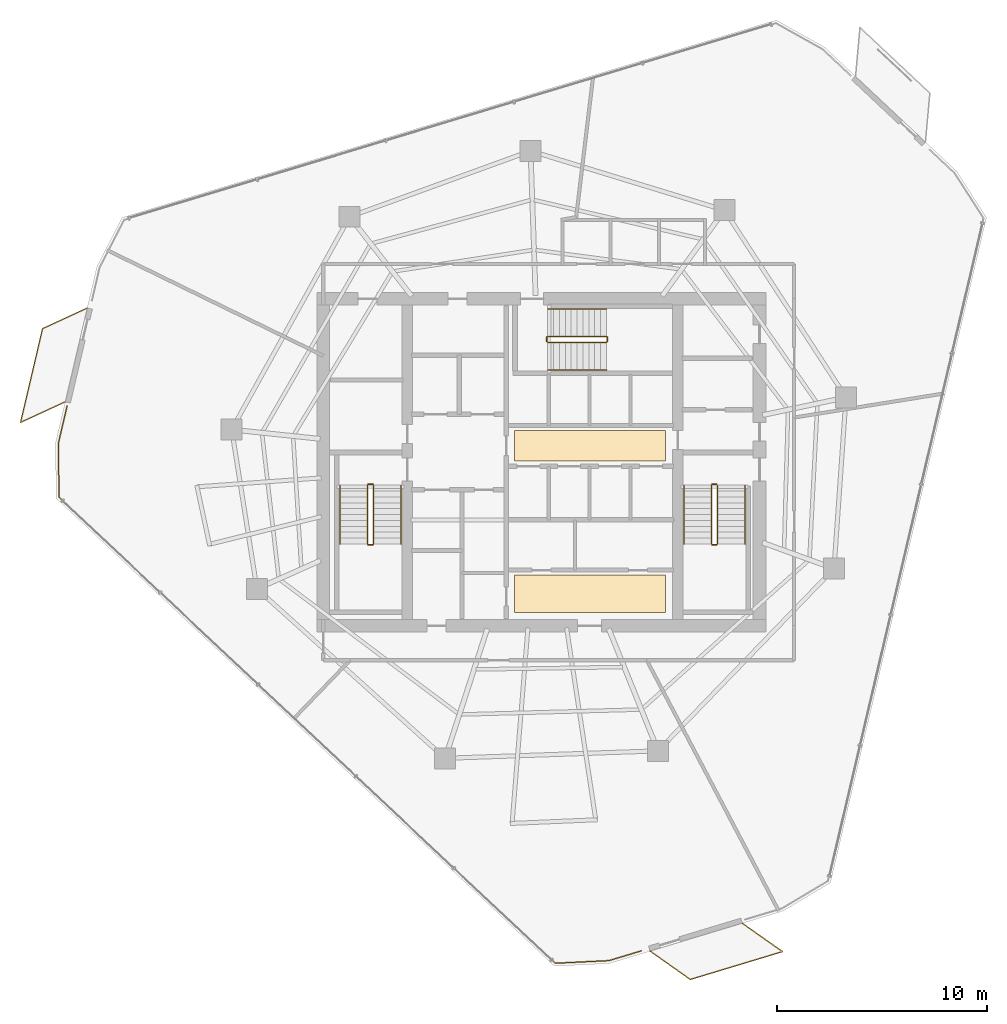
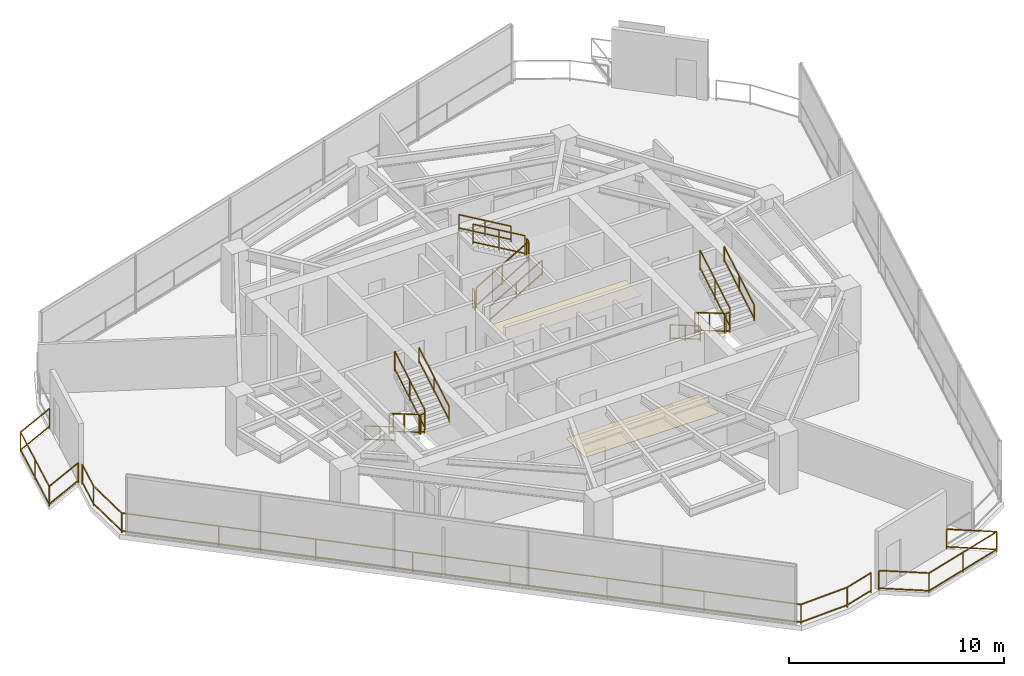
# One storey, part 18 of 19: 21 railings, 2 coverings.
"""IFC4 building model written with IfcOpenShell, lengths in metres."""

from ifc_helpers import new_model, si_unit, direction, frame, origin, origin_2d, place, context, subcontext, project, spatial, rectangle, extrude, material, layer, layer_set, type_object, element, save


model = new_model("IFC4")

# Units and contexts
model_context = context("Model", 3, precision=1e-05, world=origin(), true_north=direction((0.0, 1.0)))
body_context = subcontext(model_context, "Body", "Model", "MODEL_VIEW")
ifc_project = project(units=[si_unit("LENGTHUNIT", "METRE"), si_unit("AREAUNIT", "SQUARE_METRE"), si_unit("VOLUMEUNIT", "CUBIC_METRE"), si_unit("PLANEANGLEUNIT", "RADIAN"), si_unit("MASSUNIT", "GRAM", prefix="KILO")], contexts=[model_context])

# Site, building, storey
site_placement = place(None, origin())
site = spatial("IfcSite", under=ifc_project, at=site_placement, CompositionType="ELEMENT")
building_placement = place(site_placement, origin())
building = spatial("IfcBuilding", under=site, at=building_placement, Name="Qarnah Convention Tower", CompositionType="ELEMENT")
storey_placement = place(building_placement, frame((0.0, 0.0, 129.300048828125)))
storey = spatial("IfcBuildingStorey", under=building, at=storey_placement, Name="L34", CompositionType="ELEMENT", Elevation=129.300048828125)

# Coverings
ifc_material_1 = material(Name="Mineral fibre acoustic ceiling")
ifc_layer_1 = layer(ifc_material_1, 0.02001953125)
ifc_layer_set_1 = layer_set([ifc_layer_1], Name="Mineral fibre acoustic ceiling")
covering_type_1 = type_object("IfcCoveringType", Name="COV-CEIL-20", PredefinedType="CEILING", material=ifc_layer_set_1)
covering_1_placement = place(storey_placement, frame((39.52001953125, 27.179931640625, 2.2900390625), z_axis=(0.0, 0.0, 1.0), x_axis=(1.0, 0.0, 0.0)))
element("IfcCovering", 1, at=covering_1_placement, inside=storey, type_object=covering_type_1, Name="L34 lift lobby acoustic ceiling", PredefinedType="CEILING", context=body_context, shape_type="SweptSolid", body=[
    extrude(rectangle(XDim=7.199951171875, YDim=1.449951171875, at=origin_2d()), origin(), (0.0, 0.0, 1.0), 0.02001953125),
])
ifc_material_2 = material(Name="Porcelain stone floor tile", Category="masonry")
ifc_layer_2 = layer(ifc_material_2, 0.02001953125)
ifc_layer_set_2 = layer_set([ifc_layer_2], Name="Porcelain stone floor tile")
covering_type_2 = type_object("IfcCoveringType", Name="COV-FLOOR-20", PredefinedType="FLOORING", material=ifc_layer_set_2)
covering_2_placement = place(storey_placement, frame((39.52001953125, 20.1201171875, 0.0), z_axis=(0.0, 0.0, 1.0), x_axis=(1.0, 0.0, 0.0)))
element("IfcCovering", 2, at=covering_2_placement, inside=storey, type_object=covering_type_2, Name="L34 lift lobby porcelain stone flooring", PredefinedType="FLOORING", context=body_context, shape_type="SweptSolid", body=[
    extrude(rectangle(XDim=7.199951171875, YDim=1.800048828125, at=origin_2d()), origin(), (0.0, 0.0, 1.0), 0.02001953125),
])

# Railings
ifc_material_3 = material(Name="Black anodised aluminium", Category="aluminium")
railing_type_1 = type_object("IfcRailingType", Name="RL-EXT-GUARD-1150", PredefinedType="GUARDRAIL", material=ifc_material_3)
railing_1_placement = place(storey_placement, frame((41.97509765625, 3.097900390625, 0.0)))
element("IfcRailing", 3, at=railing_1_placement, inside=storey, type_object=railing_type_1, Name="L34 slab-edge perimeter safety guard 03", PredefinedType="GUARDRAIL", context=body_context, shape_type="SweptSolid", body=[
    extrude(rectangle(XDim=0.048095703125, YDim=0.048095703125, at=origin_2d()), frame((0.0, 0.0, 1.1259765625), z_axis=(-0.957395814984, -0.288778900634, 0.0), x_axis=(0.288778900634, -0.957395814984, 0.0)), (0.0, 0.0, 1.0), 1.62744140625),
    extrude(rectangle(XDim=0.048095703125, YDim=0.048095703125, at=origin_2d()), frame((0.0, 0.0, 0.1201171875), z_axis=(-0.957395814984, -0.288778900634, 0.0), x_axis=(0.288778900634, -0.957395814984, 0.0)), (0.0, 0.0, 1.0), 1.62744140625),
    extrude(rectangle(XDim=0.048095703125, YDim=0.048095703125, at=origin_2d()), frame((-1.55810546875, -0.469970703125, 1.1259765625), z_axis=(-0.998816438804, -0.048638683945, 0.0), x_axis=(0.048638683945, -0.998816438804, 0.0)), (0.0, 0.0, 1.0), 2.5498046875),
    extrude(rectangle(XDim=0.048095703125, YDim=0.048095703125, at=origin_2d()), frame((-1.55810546875, -0.469970703125, 0.1201171875), z_axis=(-0.998816438804, -0.048638683945, 0.0), x_axis=(0.048638683945, -0.998816438804, 0.0)), (0.0, 0.0, 1.0), 2.5498046875),
    extrude(rectangle(XDim=0.048095703125, YDim=0.048095703125, at=origin_2d()), frame((-4.10498046875, -0.593994140625, 1.1259765625), z_axis=(-0.728992787083, 0.684521377593, 0.0), x_axis=(-0.684521377593, -0.728992787083, 0.0)), (0.0, 0.0, 1.0), 32.472412109375),
    extrude(rectangle(XDim=0.048095703125, YDim=0.048095703125, at=origin_2d()), frame((-4.10498046875, -0.593994140625, 0.1201171875), z_axis=(-0.728992787083, 0.684521377593, 0.0), x_axis=(-0.684521377593, -0.728992787083, 0.0)), (0.0, 0.0, 1.0), 32.472412109375),
    extrude(rectangle(XDim=0.048095703125, YDim=0.048095703125, at=origin_2d()), frame((-27.777099609375, 21.634033203125, 1.1259765625), z_axis=(-0.014061558052, 0.999901131405, 0.0), x_axis=(-0.999901131405, -0.014061558052, 0.0)), (0.0, 0.0, 1.0), 2.55224609375),
    extrude(rectangle(XDim=0.048095703125, YDim=0.048095703125, at=origin_2d()), frame((-27.777099609375, 21.634033203125, 0.1201171875), z_axis=(-0.014061558052, 0.999901131405, 0.0), x_axis=(-0.999901131405, -0.014061558052, 0.0)), (0.0, 0.0, 1.0), 2.55224609375),
    extrude(rectangle(XDim=0.048095703125, YDim=0.048095703125, at=origin_2d()), frame((-27.81298828125, 24.18603515625, 1.1259765625), z_axis=(0.228624424526, 0.973514700716, 0.0), x_axis=(-0.973514700716, 0.228624424526, 0.0)), (0.0, 0.0, 1.0), 1.836669921875),
    extrude(rectangle(XDim=0.048095703125, YDim=0.048095703125, at=origin_2d()), frame((-27.81298828125, 24.18603515625, 0.1201171875), z_axis=(0.228624424526, 0.973514700716, 0.0), x_axis=(-0.973514700716, 0.228624424526, 0.0)), (0.0, 0.0, 1.0), 1.836669921875),
    extrude(rectangle(XDim=0.0419921875, YDim=0.0419921875, at=origin_2d()), origin(), (0.0, 0.0, 1.0), 1.101806640625),
    extrude(rectangle(XDim=0.0419921875, YDim=0.0419921875, at=origin_2d()), frame((-1.55810546875, -0.469970703125, 0.0)), (0.0, 0.0, 1.0), 1.101806640625),
    extrude(rectangle(XDim=0.0419921875, YDim=0.0419921875, at=origin_2d()), frame((-4.10498046875, -0.593994140625, 0.0)), (0.0, 0.0, 1.0), 1.101806640625),
    extrude(rectangle(XDim=0.0419921875, YDim=0.0419921875, at=origin_2d()), frame((-7.48681640625, 2.58154296875, 0.0)), (0.0, 0.0, 1.0), 1.101806640625),
    extrude(rectangle(XDim=0.0419921875, YDim=0.0419921875, at=origin_2d()), frame((-10.868408203125, 5.7568359375, 0.0)), (0.0, 0.0, 1.0), 1.101806640625),
    extrude(rectangle(XDim=0.0419921875, YDim=0.0419921875, at=origin_2d()), frame((-14.250244140625, 8.932373046875, 0.0)), (0.0, 0.0, 1.0), 1.101806640625),
    extrude(rectangle(XDim=0.0419921875, YDim=0.0419921875, at=origin_2d()), frame((-17.6318359375, 12.107666015625, 0.0)), (0.0, 0.0, 1.0), 1.101806640625),
    extrude(rectangle(XDim=0.0419921875, YDim=0.0419921875, at=origin_2d()), frame((-21.013671875, 15.283203125, 0.0)), (0.0, 0.0, 1.0), 1.101806640625),
    extrude(rectangle(XDim=0.0419921875, YDim=0.0419921875, at=origin_2d()), frame((-24.395263671875, 18.45849609375, 0.0)), (0.0, 0.0, 1.0), 1.101806640625),
    extrude(rectangle(XDim=0.0419921875, YDim=0.0419921875, at=origin_2d()), frame((-27.777099609375, 21.634033203125, 0.0)), (0.0, 0.0, 1.0), 1.101806640625),
    extrude(rectangle(XDim=0.0419921875, YDim=0.0419921875, at=origin_2d()), frame((-27.81298828125, 24.18603515625, 0.0)), (0.0, 0.0, 1.0), 1.101806640625),
    extrude(rectangle(XDim=0.0419921875, YDim=0.0419921875, at=origin_2d()), frame((-27.39306640625, 25.97412109375, 0.0)), (0.0, 0.0, 1.0), 1.101806640625),
])
railing_2_placement = place(storey_placement, frame((14.489990234375, 29.27197265625, 0.0)))
element("IfcRailing", 4, at=railing_2_placement, inside=storey, type_object=railing_type_1, Name="L34 balcony safety guard BAL-L34-C2", PredefinedType="GUARDRAIL", context=body_context, shape_type="SweptSolid", body=[
    extrude(rectangle(XDim=0.048095703125, YDim=0.048095703125, at=origin_2d()), frame((0.0, 0.0, 1.1259765625), z_axis=(-0.907910670849, -0.419163707587, 0.0), x_axis=(0.419163707587, -0.907910670849, 0.0)), (0.0, 0.0, 1.0), 2.34716796875),
    extrude(rectangle(XDim=0.048095703125, YDim=0.048095703125, at=origin_2d()), frame((0.0, 0.0, 0.1201171875), z_axis=(-0.907910670849, -0.419163707587, 0.0), x_axis=(0.419163707587, -0.907910670849, 0.0)), (0.0, 0.0, 1.0), 2.34716796875),
    extrude(rectangle(XDim=0.048095703125, YDim=0.048095703125, at=origin_2d()), frame((-2.131103515625, -0.98388671875, 1.1259765625), z_axis=(0.228296670508, 0.973591613684, 0.0), x_axis=(-0.973591613684, 0.228296670508, 0.0)), (0.0, 0.0, 1.0), 4.599609375),
    extrude(rectangle(XDim=0.048095703125, YDim=0.048095703125, at=origin_2d()), frame((-2.131103515625, -0.98388671875, 0.1201171875), z_axis=(0.228296670508, 0.973591613684, 0.0), x_axis=(-0.973591613684, 0.228296670508, 0.0)), (0.0, 0.0, 1.0), 4.599609375),
    extrude(rectangle(XDim=0.048095703125, YDim=0.048095703125, at=origin_2d()), frame((-1.0810546875, 3.494140625, 1.1259765625), z_axis=(0.907825466412, 0.419348211555, 0.0), x_axis=(-0.419348211555, 0.907825466412, 0.0)), (0.0, 0.0, 1.0), 2.3486328125),
    extrude(rectangle(XDim=0.048095703125, YDim=0.048095703125, at=origin_2d()), frame((-1.0810546875, 3.494140625, 0.1201171875), z_axis=(0.907825466412, 0.419348211555, 0.0), x_axis=(-0.419348211555, 0.907825466412, 0.0)), (0.0, 0.0, 1.0), 2.3486328125),
    extrude(rectangle(XDim=0.0419921875, YDim=0.0419921875, at=origin_2d()), origin(), (0.0, 0.0, 1.0), 1.101806640625),
    extrude(rectangle(XDim=0.0419921875, YDim=0.0419921875, at=origin_2d()), frame((-2.131103515625, -0.98388671875, 0.0)), (0.0, 0.0, 1.0), 1.101806640625),
    extrude(rectangle(XDim=0.0419921875, YDim=0.0419921875, at=origin_2d()), frame((-1.60595703125, 1.255126953125, 0.0)), (0.0, 0.0, 1.0), 1.101806640625),
    extrude(rectangle(XDim=0.0419921875, YDim=0.0419921875, at=origin_2d()), frame((-1.0810546875, 3.494140625, 0.0)), (0.0, 0.0, 1.0), 1.101806640625),
    extrude(rectangle(XDim=0.0419921875, YDim=0.0419921875, at=origin_2d()), frame((1.051025390625, 4.47900390625, 0.0)), (0.0, 0.0, 1.0), 1.101806640625),
])
railing_3_placement = place(storey_placement, frame((46.784912109375, 4.409912109375, 0.0)))
element("IfcRailing", 5, at=railing_3_placement, inside=storey, type_object=railing_type_1, Name="L34 balcony safety guard BAL-L34-C3", PredefinedType="GUARDRAIL", context=body_context, shape_type="SweptSolid", body=[
    extrude(rectangle(XDim=0.048095703125, YDim=0.048095703125, at=origin_2d()), frame((0.0, 0.0, 1.1259765625), z_axis=(0.817307724597, -0.576201425991, 0.0), x_axis=(0.576201425991, 0.817307724597, 0.0)), (0.0, 0.0, 1.0), 2.34814453125),
    extrude(rectangle(XDim=0.048095703125, YDim=0.048095703125, at=origin_2d()), frame((0.0, 0.0, 0.1201171875), z_axis=(0.817307724597, -0.576201425991, 0.0), x_axis=(0.576201425991, 0.817307724597, 0.0)), (0.0, 0.0, 1.0), 2.34814453125),
    extrude(rectangle(XDim=0.048095703125, YDim=0.048095703125, at=origin_2d()), frame((1.919189453125, -1.35302734375, 1.1259765625), z_axis=(-0.957309147698, -0.289066075032, 0.0), x_axis=(0.289066075032, -0.957309147698, 0.0)), (0.0, 0.0, 1.0), 4.600341796875),
    extrude(rectangle(XDim=0.048095703125, YDim=0.048095703125, at=origin_2d()), frame((1.919189453125, -1.35302734375, 0.1201171875), z_axis=(-0.957309147698, -0.289066075032, 0.0), x_axis=(0.289066075032, -0.957309147698, 0.0)), (0.0, 0.0, 1.0), 4.600341796875),
    extrude(rectangle(XDim=0.048095703125, YDim=0.048095703125, at=origin_2d()), frame((-2.48486328125, -2.682861328125, 1.1259765625), z_axis=(-0.817135020237, 0.576446319012, 0.0), x_axis=(-0.576446319012, -0.817135020237, 0.0)), (0.0, 0.0, 1.0), 2.34716796875),
    extrude(rectangle(XDim=0.048095703125, YDim=0.048095703125, at=origin_2d()), frame((-2.48486328125, -2.682861328125, 0.1201171875), z_axis=(-0.817135020237, 0.576446319012, 0.0), x_axis=(-0.576446319012, -0.817135020237, 0.0)), (0.0, 0.0, 1.0), 2.34716796875),
    extrude(rectangle(XDim=0.0419921875, YDim=0.0419921875, at=origin_2d()), origin(), (0.0, 0.0, 1.0), 1.101806640625),
    extrude(rectangle(XDim=0.0419921875, YDim=0.0419921875, at=origin_2d()), frame((1.919189453125, -1.35302734375, 0.0)), (0.0, 0.0, 1.0), 1.101806640625),
    extrude(rectangle(XDim=0.0419921875, YDim=0.0419921875, at=origin_2d()), frame((-0.28271484375, -2.01806640625, 0.0)), (0.0, 0.0, 1.0), 1.101806640625),
    extrude(rectangle(XDim=0.0419921875, YDim=0.0419921875, at=origin_2d()), frame((-2.48486328125, -2.682861328125, 0.0)), (0.0, 0.0, 1.0), 1.101806640625),
    extrude(rectangle(XDim=0.0419921875, YDim=0.0419921875, at=origin_2d()), frame((-4.40283203125, -1.329833984375, 0.0)), (0.0, 0.0, 1.0), 1.101806640625),
])
ifc_material_4 = material(Name="Structural steel S355JR", Category="steel")
railing_type_2 = type_object("IfcRailingType", Name="RL-STAIR-GUARD-1150", PredefinedType="GUARDRAIL", material=ifc_material_4)
railing_4_placement = place(storey_placement, frame((28.89990234375, 25.300048828125, 0.16357421875)))
element("IfcRailing", 6, at=railing_4_placement, inside=storey, type_object=railing_type_2, Name="L34 ST-1 stair guard 1", PredefinedType="GUARDRAIL", context=body_context, shape_type="SweptSolid", body=[
    extrude(rectangle(XDim=0.048095703125, YDim=0.048095703125, at=origin_2d()), frame((0.0, 0.0, 1.1259765625), z_axis=(0.0, -0.863360870873, 0.504586966384), x_axis=(1.0, 0.0, 0.0)), (0.0, 0.0, 1.0), 3.2431640625),
    extrude(rectangle(XDim=0.048095703125, YDim=0.048095703125, at=origin_2d()), frame((0.0, 0.0, 0.1201171875), z_axis=(0.0, -0.863360870873, 0.504586966384), x_axis=(1.0, 0.0, 0.0)), (0.0, 0.0, 1.0), 3.2431640625),
    extrude(rectangle(XDim=0.0419921875, YDim=0.0419921875, at=origin_2d()), origin(), (0.0, 0.0, 1.0), 1.101806640625),
    extrude(rectangle(XDim=0.0419921875, YDim=0.0419921875, at=origin_2d()), frame((0.0, -1.39990234375, 0.818359375)), (0.0, 0.0, 1.0), 1.101806640625),
    extrude(rectangle(XDim=0.0419921875, YDim=0.0419921875, at=origin_2d()), frame((0.0, -2.800048828125, 1.636474609375)), (0.0, 0.0, 1.0), 1.101806640625),
])
railing_5_placement = place(storey_placement, frame((28.949951171875, 22.449951171875, 1.800048828125)))
element("IfcRailing", 7, at=railing_5_placement, inside=storey, type_object=railing_type_2, Name="L34 ST-1 stair guard 2", PredefinedType="GUARDRAIL", context=body_context, shape_type="SweptSolid", body=[
    extrude(rectangle(XDim=0.048095703125, YDim=0.048095703125, at=origin_2d()), frame((0.0, 0.0, 1.1259765625), z_axis=(1.0, 0.0, 0.0), x_axis=(0.0, 1.0, 0.0)), (0.0, 0.0, 1.0), 0.199951171875),
    extrude(rectangle(XDim=0.048095703125, YDim=0.048095703125, at=origin_2d()), frame((0.0, 0.0, 0.1201171875), z_axis=(1.0, 0.0, 0.0), x_axis=(0.0, 1.0, 0.0)), (0.0, 0.0, 1.0), 0.199951171875),
    extrude(rectangle(XDim=0.0419921875, YDim=0.0419921875, at=origin_2d()), origin(), (0.0, 0.0, 1.0), 1.101806640625),
    extrude(rectangle(XDim=0.0419921875, YDim=0.0419921875, at=origin_2d()), frame((0.199951171875, 0.0, 0.0)), (0.0, 0.0, 1.0), 1.101806640625),
])
railing_6_placement = place(storey_placement, frame((29.199951171875, 22.5, 1.963623046875)))
element("IfcRailing", 8, at=railing_6_placement, inside=storey, type_object=railing_type_2, Name="L34 ST-1 stair guard 3", PredefinedType="GUARDRAIL", context=body_context, shape_type="SweptSolid", body=[
    extrude(rectangle(XDim=0.048095703125, YDim=0.048095703125, at=origin_2d()), frame((0.0, 0.0, 1.1259765625), z_axis=(0.0, 0.863393664356, 0.504530851732), x_axis=(-1.0, 0.0, 0.0)), (0.0, 0.0, 1.0), 3.2431640625),
    extrude(rectangle(XDim=0.048095703125, YDim=0.048095703125, at=origin_2d()), frame((0.0, 0.0, 0.1201171875), z_axis=(0.0, 0.863393664356, 0.504530851732), x_axis=(-1.0, 0.0, 0.0)), (0.0, 0.0, 1.0), 3.2431640625),
    extrude(rectangle(XDim=0.0419921875, YDim=0.0419921875, at=origin_2d()), origin(), (0.0, 0.0, 1.0), 1.101806640625),
    extrude(rectangle(XDim=0.0419921875, YDim=0.0419921875, at=origin_2d()), frame((0.0, 1.39990234375, 0.818115234375)), (0.0, 0.0, 1.0), 1.101806640625),
    extrude(rectangle(XDim=0.0419921875, YDim=0.0419921875, at=origin_2d()), frame((0.0, 2.800048828125, 1.63623046875)), (0.0, 0.0, 1.0), 1.101806640625),
])
railing_7_placement = place(storey_placement, frame((28.949951171875, 25.35009765625, 0.0)))
element("IfcRailing", 9, at=railing_7_placement, inside=storey, type_object=railing_type_2, Name="L34 ST-1 stair guard 4", PredefinedType="GUARDRAIL", context=body_context, shape_type="SweptSolid", body=[
    extrude(rectangle(XDim=0.048095703125, YDim=0.048095703125, at=origin_2d()), frame((0.0, 0.0, 1.1259765625), z_axis=(1.0, 0.0, 0.0), x_axis=(0.0, 1.0, 0.0)), (0.0, 0.0, 1.0), 0.199951171875),
    extrude(rectangle(XDim=0.048095703125, YDim=0.048095703125, at=origin_2d()), frame((0.0, 0.0, 0.1201171875), z_axis=(1.0, 0.0, 0.0), x_axis=(0.0, 1.0, 0.0)), (0.0, 0.0, 1.0), 0.199951171875),
    extrude(rectangle(XDim=0.0419921875, YDim=0.0419921875, at=origin_2d()), origin(), (0.0, 0.0, 1.0), 1.101806640625),
    extrude(rectangle(XDim=0.0419921875, YDim=0.0419921875, at=origin_2d()), frame((0.199951171875, 0.0, 0.0)), (0.0, 0.0, 1.0), 1.101806640625),
])
railing_8_placement = place(storey_placement, frame((45.300048828125, 25.300048828125, 0.16357421875)))
element("IfcRailing", 10, at=railing_8_placement, inside=storey, type_object=railing_type_2, Name="L34 ST-2 stair guard 1", PredefinedType="GUARDRAIL", context=body_context, shape_type="SweptSolid", body=[
    extrude(rectangle(XDim=0.048095703125, YDim=0.048095703125, at=origin_2d()), frame((0.0, 0.0, 1.1259765625), z_axis=(0.0, -0.863360870873, 0.504586966384), x_axis=(1.0, 0.0, 0.0)), (0.0, 0.0, 1.0), 3.2431640625),
    extrude(rectangle(XDim=0.048095703125, YDim=0.048095703125, at=origin_2d()), frame((0.0, 0.0, 0.1201171875), z_axis=(0.0, -0.863360870873, 0.504586966384), x_axis=(1.0, 0.0, 0.0)), (0.0, 0.0, 1.0), 3.2431640625),
    extrude(rectangle(XDim=0.0419921875, YDim=0.0419921875, at=origin_2d()), origin(), (0.0, 0.0, 1.0), 1.101806640625),
    extrude(rectangle(XDim=0.0419921875, YDim=0.0419921875, at=origin_2d()), frame((0.0, -1.39990234375, 0.818359375)), (0.0, 0.0, 1.0), 1.101806640625),
    extrude(rectangle(XDim=0.0419921875, YDim=0.0419921875, at=origin_2d()), frame((0.0, -2.800048828125, 1.636474609375)), (0.0, 0.0, 1.0), 1.101806640625),
])
railing_9_placement = place(storey_placement, frame((45.35009765625, 22.449951171875, 1.800048828125)))
element("IfcRailing", 11, at=railing_9_placement, inside=storey, type_object=railing_type_2, Name="L34 ST-2 stair guard 2", PredefinedType="GUARDRAIL", context=body_context, shape_type="SweptSolid", body=[
    extrude(rectangle(XDim=0.048095703125, YDim=0.048095703125, at=origin_2d()), frame((0.0, 0.0, 1.1259765625), z_axis=(1.0, 0.0, 0.0), x_axis=(0.0, 1.0, 0.0)), (0.0, 0.0, 1.0), 0.199951171875),
    extrude(rectangle(XDim=0.048095703125, YDim=0.048095703125, at=origin_2d()), frame((0.0, 0.0, 0.1201171875), z_axis=(1.0, 0.0, 0.0), x_axis=(0.0, 1.0, 0.0)), (0.0, 0.0, 1.0), 0.199951171875),
    extrude(rectangle(XDim=0.0419921875, YDim=0.0419921875, at=origin_2d()), origin(), (0.0, 0.0, 1.0), 1.101806640625),
    extrude(rectangle(XDim=0.0419921875, YDim=0.0419921875, at=origin_2d()), frame((0.199951171875, 0.0, 0.0)), (0.0, 0.0, 1.0), 1.101806640625),
])
railing_10_placement = place(storey_placement, frame((45.60009765625, 22.5, 1.963623046875)))
element("IfcRailing", 12, at=railing_10_placement, inside=storey, type_object=railing_type_2, Name="L34 ST-2 stair guard 3", PredefinedType="GUARDRAIL", context=body_context, shape_type="SweptSolid", body=[
    extrude(rectangle(XDim=0.048095703125, YDim=0.048095703125, at=origin_2d()), frame((0.0, 0.0, 1.1259765625), z_axis=(0.0, 0.863393664356, 0.504530851732), x_axis=(-1.0, 0.0, 0.0)), (0.0, 0.0, 1.0), 3.2431640625),
    extrude(rectangle(XDim=0.048095703125, YDim=0.048095703125, at=origin_2d()), frame((0.0, 0.0, 0.1201171875), z_axis=(0.0, 0.863393664356, 0.504530851732), x_axis=(-1.0, 0.0, 0.0)), (0.0, 0.0, 1.0), 3.2431640625),
    extrude(rectangle(XDim=0.0419921875, YDim=0.0419921875, at=origin_2d()), origin(), (0.0, 0.0, 1.0), 1.101806640625),
    extrude(rectangle(XDim=0.0419921875, YDim=0.0419921875, at=origin_2d()), frame((0.0, 1.39990234375, 0.818115234375)), (0.0, 0.0, 1.0), 1.101806640625),
    extrude(rectangle(XDim=0.0419921875, YDim=0.0419921875, at=origin_2d()), frame((0.0, 2.800048828125, 1.63623046875)), (0.0, 0.0, 1.0), 1.101806640625),
])
railing_11_placement = place(storey_placement, frame((45.35009765625, 25.35009765625, 0.0)))
element("IfcRailing", 13, at=railing_11_placement, inside=storey, type_object=railing_type_2, Name="L34 ST-2 stair guard 4", PredefinedType="GUARDRAIL", context=body_context, shape_type="SweptSolid", body=[
    extrude(rectangle(XDim=0.048095703125, YDim=0.048095703125, at=origin_2d()), frame((0.0, 0.0, 1.1259765625), z_axis=(1.0, 0.0, 0.0), x_axis=(0.0, 1.0, 0.0)), (0.0, 0.0, 1.0), 0.199951171875),
    extrude(rectangle(XDim=0.048095703125, YDim=0.048095703125, at=origin_2d()), frame((0.0, 0.0, 0.1201171875), z_axis=(1.0, 0.0, 0.0), x_axis=(0.0, 1.0, 0.0)), (0.0, 0.0, 1.0), 0.199951171875),
    extrude(rectangle(XDim=0.0419921875, YDim=0.0419921875, at=origin_2d()), origin(), (0.0, 0.0, 1.0), 1.101806640625),
    extrude(rectangle(XDim=0.0419921875, YDim=0.0419921875, at=origin_2d()), frame((0.199951171875, 0.0, 0.0)), (0.0, 0.0, 1.0), 1.101806640625),
])
railing_12_placement = place(storey_placement, frame((37.5, 32.10009765625, 0.16357421875)))
element("IfcRailing", 14, at=railing_12_placement, inside=storey, type_object=railing_type_2, Name="L34 ST-3 stair guard 1", PredefinedType="GUARDRAIL", context=body_context, shape_type="SweptSolid", body=[
    extrude(rectangle(XDim=0.048095703125, YDim=0.048095703125, at=origin_2d()), frame((0.0, 0.0, 1.1259765625), z_axis=(0.863360870873, 0.0, 0.504586966384), x_axis=(0.0, 1.0, 0.0)), (0.0, 0.0, 1.0), 3.2431640625),
    extrude(rectangle(XDim=0.048095703125, YDim=0.048095703125, at=origin_2d()), frame((0.0, 0.0, 0.1201171875), z_axis=(0.863360870873, 0.0, 0.504586966384), x_axis=(0.0, 1.0, 0.0)), (0.0, 0.0, 1.0), 3.2431640625),
    extrude(rectangle(XDim=0.0419921875, YDim=0.0419921875, at=origin_2d()), origin(), (0.0, 0.0, 1.0), 1.101806640625),
    extrude(rectangle(XDim=0.0419921875, YDim=0.0419921875, at=origin_2d()), frame((1.39990234375, 0.0, 0.818359375)), (0.0, 0.0, 1.0), 1.101806640625),
    extrude(rectangle(XDim=0.0419921875, YDim=0.0419921875, at=origin_2d()), frame((2.800048828125, 0.0, 1.636474609375)), (0.0, 0.0, 1.0), 1.101806640625),
])
railing_13_placement = place(storey_placement, frame((40.35009765625, 32.14990234375, 1.800048828125)))
element("IfcRailing", 15, at=railing_13_placement, inside=storey, type_object=railing_type_2, Name="L34 ST-3 stair guard 2", PredefinedType="GUARDRAIL", context=body_context, shape_type="SweptSolid", body=[
    extrude(rectangle(XDim=0.048095703125, YDim=0.048095703125, at=origin_2d()), frame((0.0, 0.0, 1.1259765625), z_axis=(0.0, 1.0, 0.0), x_axis=(-1.0, 0.0, 0.0)), (0.0, 0.0, 1.0), 0.2001953125),
    extrude(rectangle(XDim=0.048095703125, YDim=0.048095703125, at=origin_2d()), frame((0.0, 0.0, 0.1201171875), z_axis=(0.0, 1.0, 0.0), x_axis=(-1.0, 0.0, 0.0)), (0.0, 0.0, 1.0), 0.2001953125),
    extrude(rectangle(XDim=0.0419921875, YDim=0.0419921875, at=origin_2d()), origin(), (0.0, 0.0, 1.0), 1.101806640625),
    extrude(rectangle(XDim=0.0419921875, YDim=0.0419921875, at=origin_2d()), frame((0.0, 0.2001953125, 0.0)), (0.0, 0.0, 1.0), 1.101806640625),
])
railing_14_placement = place(storey_placement, frame((40.300048828125, 32.39990234375, 1.963623046875)))
element("IfcRailing", 16, at=railing_14_placement, inside=storey, type_object=railing_type_2, Name="L34 ST-3 stair guard 3", PredefinedType="GUARDRAIL", context=body_context, shape_type="SweptSolid", body=[
    extrude(rectangle(XDim=0.048095703125, YDim=0.048095703125, at=origin_2d()), frame((0.0, 0.0, 1.1259765625), z_axis=(-0.863393664356, 0.0, 0.504530851732), x_axis=(0.0, -1.0, 0.0)), (0.0, 0.0, 1.0), 3.2431640625),
    extrude(rectangle(XDim=0.048095703125, YDim=0.048095703125, at=origin_2d()), frame((0.0, 0.0, 0.1201171875), z_axis=(-0.863393664356, 0.0, 0.504530851732), x_axis=(0.0, -1.0, 0.0)), (0.0, 0.0, 1.0), 3.2431640625),
    extrude(rectangle(XDim=0.0419921875, YDim=0.0419921875, at=origin_2d()), origin(), (0.0, 0.0, 1.0), 1.101806640625),
    extrude(rectangle(XDim=0.0419921875, YDim=0.0419921875, at=origin_2d()), frame((-1.39990234375, 0.0, 0.818115234375)), (0.0, 0.0, 1.0), 1.101806640625),
    extrude(rectangle(XDim=0.0419921875, YDim=0.0419921875, at=origin_2d()), frame((-2.800048828125, 0.0, 1.63623046875)), (0.0, 0.0, 1.0), 1.101806640625),
])
railing_15_placement = place(storey_placement, frame((37.449951171875, 32.14990234375, 0.0)))
element("IfcRailing", 17, at=railing_15_placement, inside=storey, type_object=railing_type_2, Name="L34 ST-3 stair guard 4", PredefinedType="GUARDRAIL", context=body_context, shape_type="SweptSolid", body=[
    extrude(rectangle(XDim=0.048095703125, YDim=0.048095703125, at=origin_2d()), frame((0.0, 0.0, 1.1259765625), z_axis=(0.0, 1.0, 0.0), x_axis=(-1.0, 0.0, 0.0)), (0.0, 0.0, 1.0), 0.2001953125),
    extrude(rectangle(XDim=0.048095703125, YDim=0.048095703125, at=origin_2d()), frame((0.0, 0.0, 0.1201171875), z_axis=(0.0, 1.0, 0.0), x_axis=(-1.0, 0.0, 0.0)), (0.0, 0.0, 1.0), 0.2001953125),
    extrude(rectangle(XDim=0.0419921875, YDim=0.0419921875, at=origin_2d()), origin(), (0.0, 0.0, 1.0), 1.101806640625),
    extrude(rectangle(XDim=0.0419921875, YDim=0.0419921875, at=origin_2d()), frame((0.0, 0.2001953125, 0.0)), (0.0, 0.0, 1.0), 1.101806640625),
])
railing_type_3 = type_object("IfcRailingType", Name="RL-STAIR-HAND-900", PredefinedType="HANDRAIL", material=ifc_material_4)
railing_16_placement = place(storey_placement, frame((27.60009765625, 25.300048828125, 0.16357421875)))
element("IfcRailing", 18, at=railing_16_placement, inside=storey, type_object=railing_type_3, Name="L34 ST-1 stair handrail 1", PredefinedType="HANDRAIL", context=body_context, shape_type="SweptSolid", body=[
    extrude(rectangle(XDim=0.048095703125, YDim=0.048095703125, at=origin_2d()), frame((0.0, 0.0, 0.8759765625), z_axis=(0.0, -0.863360870873, 0.504586966384), x_axis=(1.0, 0.0, 0.0)), (0.0, 0.0, 1.0), 3.2431640625),
    extrude(rectangle(XDim=0.048095703125, YDim=0.048095703125, at=origin_2d()), frame((0.0, 0.0, 0.1201171875), z_axis=(0.0, -0.863360870873, 0.504586966384), x_axis=(1.0, 0.0, 0.0)), (0.0, 0.0, 1.0), 3.2431640625),
    extrude(rectangle(XDim=0.0419921875, YDim=0.0419921875, at=origin_2d()), origin(), (0.0, 0.0, 1.0), 0.851806640625),
    extrude(rectangle(XDim=0.0419921875, YDim=0.0419921875, at=origin_2d()), frame((0.0, -1.39990234375, 0.818359375)), (0.0, 0.0, 1.0), 0.851806640625),
    extrude(rectangle(XDim=0.0419921875, YDim=0.0419921875, at=origin_2d()), frame((0.0, -2.800048828125, 1.636474609375)), (0.0, 0.0, 1.0), 0.851806640625),
])
railing_17_placement = place(storey_placement, frame((30.5, 22.5, 1.963623046875)))
element("IfcRailing", 19, at=railing_17_placement, inside=storey, type_object=railing_type_3, Name="L34 ST-1 stair handrail 2", PredefinedType="HANDRAIL", context=body_context, shape_type="SweptSolid", body=[
    extrude(rectangle(XDim=0.048095703125, YDim=0.048095703125, at=origin_2d()), frame((0.0, 0.0, 0.8759765625), z_axis=(0.0, 0.863393664356, 0.504530851732), x_axis=(-1.0, 0.0, 0.0)), (0.0, 0.0, 1.0), 3.2431640625),
    extrude(rectangle(XDim=0.048095703125, YDim=0.048095703125, at=origin_2d()), frame((0.0, 0.0, 0.1201171875), z_axis=(0.0, 0.863393664356, 0.504530851732), x_axis=(-1.0, 0.0, 0.0)), (0.0, 0.0, 1.0), 3.2431640625),
    extrude(rectangle(XDim=0.0419921875, YDim=0.0419921875, at=origin_2d()), origin(), (0.0, 0.0, 1.0), 0.851806640625),
    extrude(rectangle(XDim=0.0419921875, YDim=0.0419921875, at=origin_2d()), frame((0.0, 1.39990234375, 0.818115234375)), (0.0, 0.0, 1.0), 0.851806640625),
    extrude(rectangle(XDim=0.0419921875, YDim=0.0419921875, at=origin_2d()), frame((0.0, 2.800048828125, 1.63623046875)), (0.0, 0.0, 1.0), 0.851806640625),
])
railing_18_placement = place(storey_placement, frame((44.0, 25.300048828125, 0.16357421875)))
element("IfcRailing", 20, at=railing_18_placement, inside=storey, type_object=railing_type_3, Name="L34 ST-2 stair handrail 1", PredefinedType="HANDRAIL", context=body_context, shape_type="SweptSolid", body=[
    extrude(rectangle(XDim=0.048095703125, YDim=0.048095703125, at=origin_2d()), frame((0.0, 0.0, 0.8759765625), z_axis=(0.0, -0.863360870873, 0.504586966384), x_axis=(1.0, 0.0, 0.0)), (0.0, 0.0, 1.0), 3.2431640625),
    extrude(rectangle(XDim=0.048095703125, YDim=0.048095703125, at=origin_2d()), frame((0.0, 0.0, 0.1201171875), z_axis=(0.0, -0.863360870873, 0.504586966384), x_axis=(1.0, 0.0, 0.0)), (0.0, 0.0, 1.0), 3.2431640625),
    extrude(rectangle(XDim=0.0419921875, YDim=0.0419921875, at=origin_2d()), origin(), (0.0, 0.0, 1.0), 0.851806640625),
    extrude(rectangle(XDim=0.0419921875, YDim=0.0419921875, at=origin_2d()), frame((0.0, -1.39990234375, 0.818359375)), (0.0, 0.0, 1.0), 0.851806640625),
    extrude(rectangle(XDim=0.0419921875, YDim=0.0419921875, at=origin_2d()), frame((0.0, -2.800048828125, 1.636474609375)), (0.0, 0.0, 1.0), 0.851806640625),
])
railing_19_placement = place(storey_placement, frame((46.89990234375, 22.5, 1.963623046875)))
element("IfcRailing", 21, at=railing_19_placement, inside=storey, type_object=railing_type_3, Name="L34 ST-2 stair handrail 2", PredefinedType="HANDRAIL", context=body_context, shape_type="SweptSolid", body=[
    extrude(rectangle(XDim=0.048095703125, YDim=0.048095703125, at=origin_2d()), frame((0.0, 0.0, 0.8759765625), z_axis=(0.0, 0.863393664356, 0.504530851732), x_axis=(-1.0, 0.0, 0.0)), (0.0, 0.0, 1.0), 3.2431640625),
    extrude(rectangle(XDim=0.048095703125, YDim=0.048095703125, at=origin_2d()), frame((0.0, 0.0, 0.1201171875), z_axis=(0.0, 0.863393664356, 0.504530851732), x_axis=(-1.0, 0.0, 0.0)), (0.0, 0.0, 1.0), 3.2431640625),
    extrude(rectangle(XDim=0.0419921875, YDim=0.0419921875, at=origin_2d()), origin(), (0.0, 0.0, 1.0), 0.851806640625),
    extrude(rectangle(XDim=0.0419921875, YDim=0.0419921875, at=origin_2d()), frame((0.0, 1.39990234375, 0.818115234375)), (0.0, 0.0, 1.0), 0.851806640625),
    extrude(rectangle(XDim=0.0419921875, YDim=0.0419921875, at=origin_2d()), frame((0.0, 2.800048828125, 1.63623046875)), (0.0, 0.0, 1.0), 0.851806640625),
])
railing_20_placement = place(storey_placement, frame((37.5, 30.800048828125, 0.16357421875)))
element("IfcRailing", 22, at=railing_20_placement, inside=storey, type_object=railing_type_3, Name="L34 ST-3 stair handrail 1", PredefinedType="HANDRAIL", context=body_context, shape_type="SweptSolid", body=[
    extrude(rectangle(XDim=0.048095703125, YDim=0.048095703125, at=origin_2d()), frame((0.0, 0.0, 0.8759765625), z_axis=(0.863360870873, 0.0, 0.504586966384), x_axis=(0.0, 1.0, 0.0)), (0.0, 0.0, 1.0), 3.2431640625),
    extrude(rectangle(XDim=0.048095703125, YDim=0.048095703125, at=origin_2d()), frame((0.0, 0.0, 0.1201171875), z_axis=(0.863360870873, 0.0, 0.504586966384), x_axis=(0.0, 1.0, 0.0)), (0.0, 0.0, 1.0), 3.2431640625),
    extrude(rectangle(XDim=0.0419921875, YDim=0.0419921875, at=origin_2d()), origin(), (0.0, 0.0, 1.0), 0.851806640625),
    extrude(rectangle(XDim=0.0419921875, YDim=0.0419921875, at=origin_2d()), frame((1.39990234375, 0.0, 0.818359375)), (0.0, 0.0, 1.0), 0.851806640625),
    extrude(rectangle(XDim=0.0419921875, YDim=0.0419921875, at=origin_2d()), frame((2.800048828125, 0.0, 1.636474609375)), (0.0, 0.0, 1.0), 0.851806640625),
])
railing_21_placement = place(storey_placement, frame((40.300048828125, 33.699951171875, 1.963623046875)))
element("IfcRailing", 23, at=railing_21_placement, inside=storey, type_object=railing_type_3, Name="L34 ST-3 stair handrail 2", PredefinedType="HANDRAIL", context=body_context, shape_type="SweptSolid", body=[
    extrude(rectangle(XDim=0.048095703125, YDim=0.048095703125, at=origin_2d()), frame((0.0, 0.0, 0.8759765625), z_axis=(-0.863393664356, 0.0, 0.504530851732), x_axis=(0.0, -1.0, 0.0)), (0.0, 0.0, 1.0), 3.2431640625),
    extrude(rectangle(XDim=0.048095703125, YDim=0.048095703125, at=origin_2d()), frame((0.0, 0.0, 0.1201171875), z_axis=(-0.863393664356, 0.0, 0.504530851732), x_axis=(0.0, -1.0, 0.0)), (0.0, 0.0, 1.0), 3.2431640625),
    extrude(rectangle(XDim=0.0419921875, YDim=0.0419921875, at=origin_2d()), origin(), (0.0, 0.0, 1.0), 0.851806640625),
    extrude(rectangle(XDim=0.0419921875, YDim=0.0419921875, at=origin_2d()), frame((-1.39990234375, 0.0, 0.818115234375)), (0.0, 0.0, 1.0), 0.851806640625),
    extrude(rectangle(XDim=0.0419921875, YDim=0.0419921875, at=origin_2d()), frame((-2.800048828125, 0.0, 1.63623046875)), (0.0, 0.0, 1.0), 0.851806640625),
])

save(model, "model.ifc")
